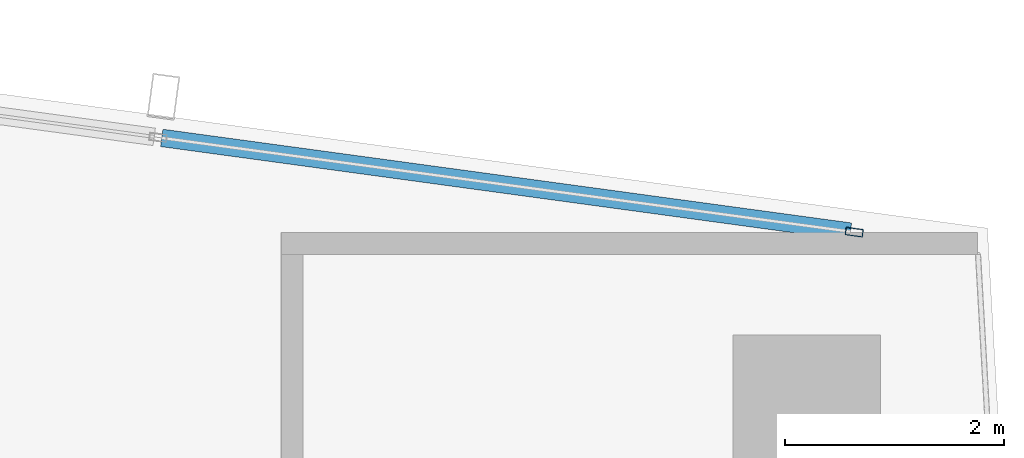
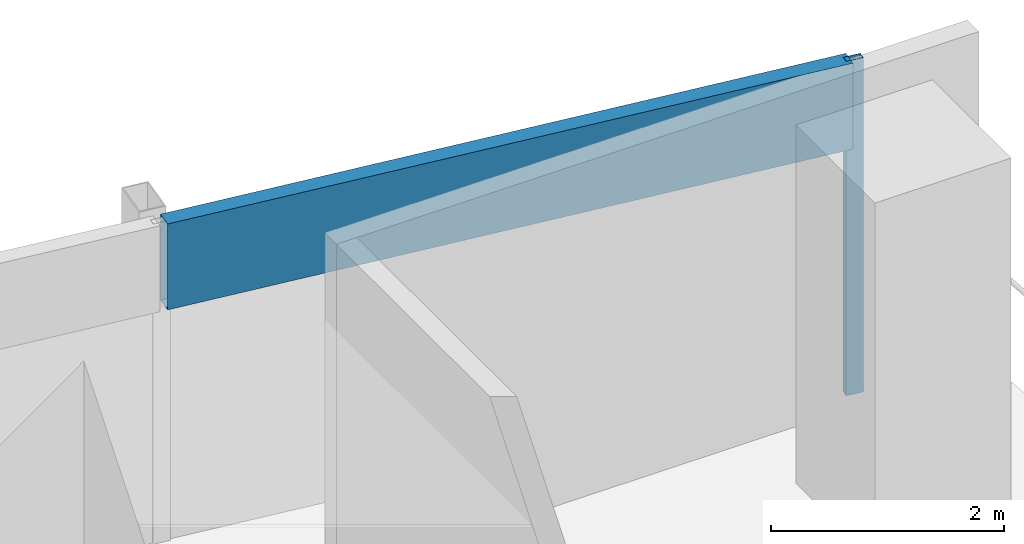
# One storey, part 19 of 33: 2 members, 1 element without a shape of its own.
"""IFC4 building model written with IfcOpenShell, lengths in metres."""

from ifc_helpers import new_model, si_unit, direction, frame, origin, origin_2d, place, context, subcontext, project, spatial, hollow_rectangle, extrude, material, material_profile, profile_set, type_object, element, aggregate, save


model = new_model("IFC4")

# Units and contexts
model_context = context("Model", 3, precision=1e-05, world=origin(), true_north=direction((0.0, 1.0)))
body_context = subcontext(model_context, "Body", "Model", "MODEL_VIEW")
ifc_project = project(units=[si_unit("LENGTHUNIT", "METRE"), si_unit("AREAUNIT", "SQUARE_METRE"), si_unit("VOLUMEUNIT", "CUBIC_METRE"), si_unit("PLANEANGLEUNIT", "RADIAN"), si_unit("MASSUNIT", "GRAM", prefix="KILO")], contexts=[model_context])

# Site, building, storey
site_placement = place(None, origin())
site = spatial("IfcSite", under=ifc_project, at=site_placement, CompositionType="ELEMENT")
building_placement = place(site_placement, origin())
building = spatial("IfcBuilding", under=site, at=building_placement, Name="Rekha Terrace Tower", CompositionType="ELEMENT")
storey_placement = place(building_placement, frame((0.0, 0.0, 206.449951171875)))
storey = spatial("IfcBuildingStorey", under=building, at=storey_placement, Name="L52", CompositionType="ELEMENT", Elevation=206.449951171875)

# Curtain wall, members
ifc_material_1 = material(Name="Aluminium framing", Category="aluminium")
curtain_wall_type = type_object("IfcCurtainWallType", Name="CW3 north unitised glazing", PredefinedType="USERDEFINED", material=ifc_material_1)
curtain_wall_placement = place(storey_placement, origin())
curtain_wall = element("IfcCurtainWall", 1, at=curtain_wall_placement, inside=storey, type_object=curtain_wall_type, Name="CW3 unitised curtain wall", ObjectType="UNITISED CURTAIN WALL", PredefinedType="USERDEFINED")
ifc_material_2 = material(Name="Aluminium mullion section", Category="aluminium")
ifc_material_profile_1 = material_profile(ifc_material_2, hollow_rectangle(XDim=0.070068359375, YDim=0.159912109375, WallThickness=0.00390625, at=origin_2d()), Name="AL RHS 70x160")
ifc_profile_set_1 = profile_set([ifc_material_profile_1], Name="Aluminium mullion section")
member_type_1 = type_object("IfcMemberType", Name="CW3 mullion RHS 70 x 160", PredefinedType="MULLION", material=ifc_profile_set_1)
member_1_placement = place(storey_placement, frame((59.2333984375, 60.413818359375, 0.0), z_axis=(0.0, 0.0, 1.0), x_axis=(-0.134840840399, -0.990867270506, 0.0)))
member_1 = element("IfcMember", 2, at=member_1_placement, type_object=member_type_1, Name="CW3 mullion 1", PredefinedType="MULLION", context=body_context, shape_type="SweptSolid", body=[
    extrude(hollow_rectangle(XDim=0.070068359375, YDim=0.159912109375, WallThickness=0.00390625, at=origin_2d()), origin(), (0.0, 0.0, 1.0), 3.5),
])
ifc_material_3 = material(Name="Insulated aluminium spandrel box", Category="aluminium")
ifc_material_profile_2 = material_profile(ifc_material_3, hollow_rectangle(XDim=0.159912109375, YDim=0.89990234375, WallThickness=0.0029296875, at=origin_2d()), Name="AL SPANDREL BOX 160x900")
ifc_profile_set_2 = profile_set([ifc_material_profile_2], Name="Insulated aluminium spandrel box")
member_type_2 = type_object("IfcMemberType", Name="CW3 spandrel transom 160 x 900", PredefinedType="USERDEFINED", material=ifc_profile_set_2)
member_2_placement = place(storey_placement, frame((59.19873046875, 60.41845703125, 3.050048828125), z_axis=(-0.99086897357, 0.134828324976, 0.0), x_axis=(-0.134828324976, -0.99086897357, 0.0)))
member_2 = element("IfcMember", 3, at=member_2_placement, type_object=member_type_2, Name="CW3 spandrel transom 1", ObjectType="TRANSOM", PredefinedType="USERDEFINED", context=body_context, shape_type="SweptSolid", body=[
    extrude(hollow_rectangle(XDim=0.159912109375, YDim=0.89990234375, WallThickness=0.0029296875, at=origin_2d()), origin(), (0.0, 0.0, 1.0), 6.348388671875),
])
aggregate(curtain_wall, [member_1, member_2])

save(model, "model.ifc")
